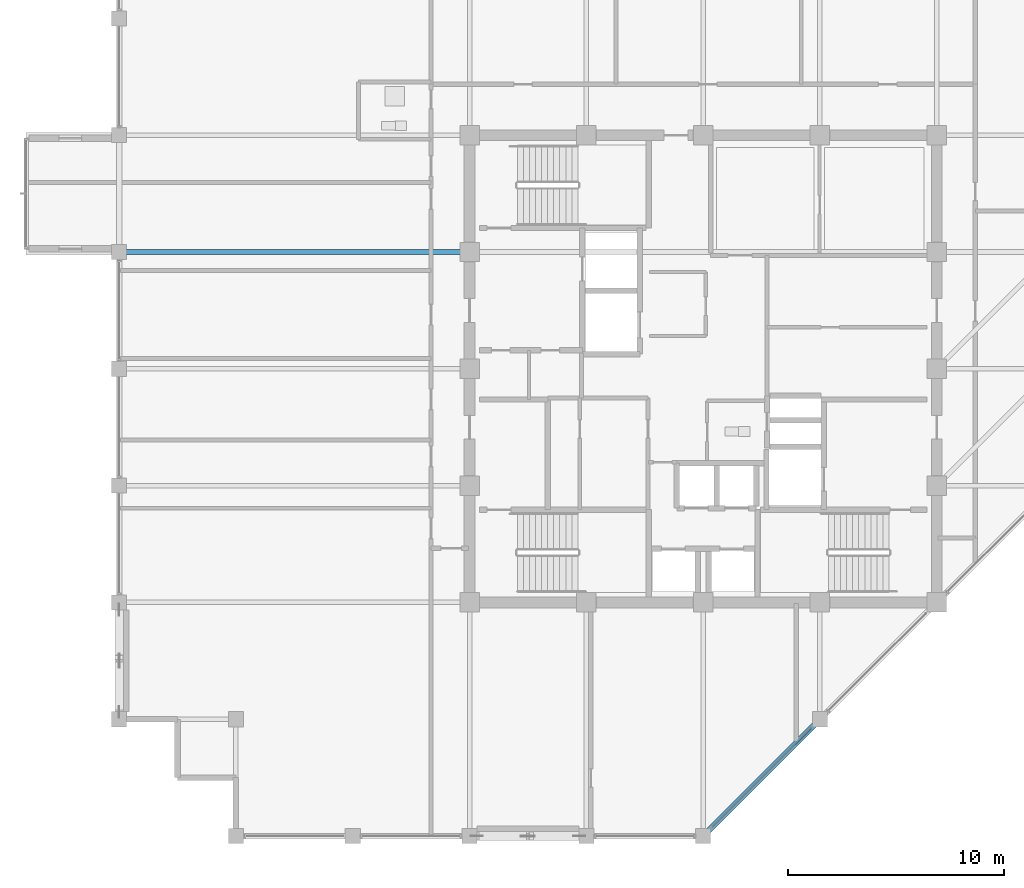
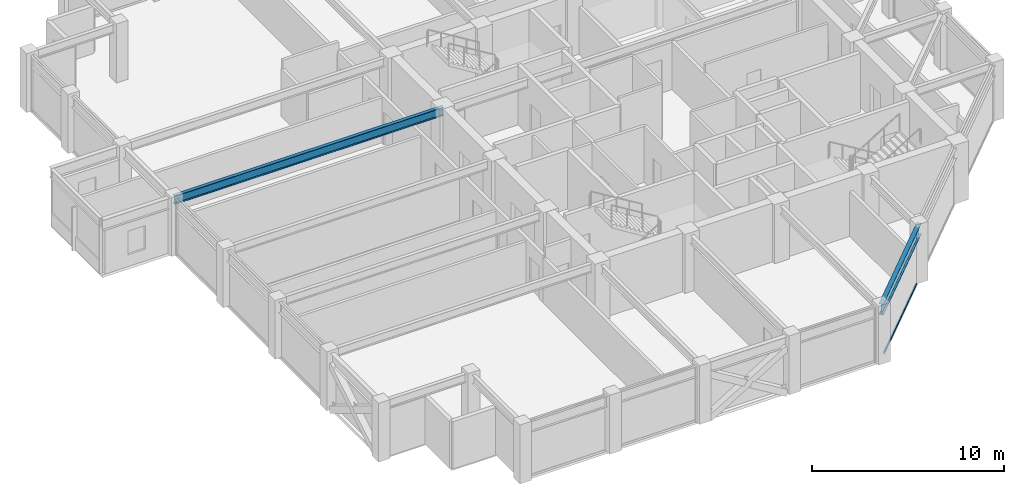
# One storey, part 8 of 31: 2 beams, 1 member, 1 element without a shape of its own.
"""IFC4 building model written with IfcOpenShell, lengths in metres."""

from ifc_helpers import new_model, si_unit, direction, frame, origin, origin_2d, place, context, subcontext, project, spatial, hollow_rectangle, i_section, extrude, material, layer, layer_set, material_profile, profile_set, type_object, element, aggregate, save


model = new_model("IFC4")

# Units and contexts
model_context = context("Model", 3, precision=1e-05, world=origin(), true_north=direction((0.0, 1.0)))
body_context = subcontext(model_context, "Body", "Model", "MODEL_VIEW")
ifc_project = project(units=[si_unit("LENGTHUNIT", "METRE"), si_unit("AREAUNIT", "SQUARE_METRE"), si_unit("VOLUMEUNIT", "CUBIC_METRE"), si_unit("PLANEANGLEUNIT", "RADIAN"), si_unit("MASSUNIT", "GRAM", prefix="KILO")], contexts=[model_context])

# Site, building, storey
site_placement = place(None, origin())
site = spatial("IfcSite", under=ifc_project, at=site_placement, CompositionType="ELEMENT")
building_placement = place(site_placement, origin())
building = spatial("IfcBuilding", under=site, at=building_placement, Name="Surkhivell Harbour Commons", CompositionType="ELEMENT")
storey_placement = place(building_placement, frame((0.0, 0.0, 266.25)))
storey = spatial("IfcBuildingStorey", under=building, at=storey_placement, Name="L69", CompositionType="ELEMENT", Elevation=266.25)

# Beams
ifc_material_1 = material(Name="Steel S355", Category="steel")
ifc_material_profile_1 = material_profile(ifc_material_1, i_section(OverallWidth=0.2099609375, OverallDepth=0.537109375, WebThickness=0.0107421875, FlangeThickness=0.017333984375, at=origin_2d()), Name="UB533x210x101")
ifc_profile_set_1 = profile_set([ifc_material_profile_1], Name="Steel S355")
beam_type_1 = type_object("IfcBeamType", Name="BM-GRD-533B", PredefinedType="BEAM", material=ifc_profile_set_1)
beam_1_placement = place(storey_placement, frame((-27.0, 5.39990234375, 3.301513671875), z_axis=(1.0, 0.0, 0.0), x_axis=(0.0, 1.0, 0.0)))
element("IfcBeam", 1, at=beam_1_placement, inside=storey, type_object=beam_type_1, Name="L69 Cantilever Back-Span Girder (-27.0,5.4)", PredefinedType="BEAM", context=body_context, shape_type="SweptSolid", body=[
    extrude(i_section(OverallWidth=0.2099609375, OverallDepth=0.537109375, WebThickness=0.0107421875, FlangeThickness=0.017333984375, at=origin_2d()), origin(), (0.0, 0.0, 1.0), 16.199951171875),
])
ifc_material_profile_2 = material_profile(ifc_material_1, i_section(OverallWidth=0.256103515625, OverallDepth=0.693115234375, WebThickness=0.014404296875, FlangeThickness=0.023681640625, at=origin_2d()), Name="UB686x254x170")
ifc_profile_set_2 = profile_set([ifc_material_profile_2], Name="Steel S355")
beam_type_2 = type_object("IfcBeamType", Name="BM-SPN-686", PredefinedType="SPANDREL", material=ifc_profile_set_2)
beam_2_placement = place(storey_placement, frame((0.0, -21.60009765625, 3.223388671875), z_axis=(0.707090796496, 0.707122765516, 0.0), x_axis=(-0.707122765516, 0.707090796496, 0.0)))
element("IfcBeam", 2, at=beam_2_placement, inside=storey, type_object=beam_type_2, Name="L69 Tube Spandrel (-0.0,-21.6)", PredefinedType="SPANDREL", context=body_context, shape_type="SweptSolid", body=[
    extrude(i_section(OverallWidth=0.256103515625, OverallDepth=0.693115234375, WebThickness=0.014404296875, FlangeThickness=0.023681640625, at=origin_2d()), origin(), (0.0, 0.0, 1.0), 7.63671875),
])

# Curtain wall, member
ifc_material_2 = material(Name="Anodised pale-metal aluminium and insulated glazing", Category="aluminium")
ifc_layer = layer(ifc_material_2, 0.175048828125)
ifc_layer_set = layer_set([ifc_layer], Name="Anodised pale-metal aluminium and insulated glazing")
curtain_wall_type = type_object("IfcCurtainWallType", Name="CW-SYS-Z4", PredefinedType="NOTDEFINED", material=ifc_layer_set)
curtain_wall_placement = place(storey_placement, origin())
curtain_wall = element("IfcCurtainWall", 3, at=curtain_wall_placement, inside=storey, type_object=curtain_wall_type, Name="L69 Curtain Wall CW-L69-E01", PredefinedType="NOTDEFINED")
ifc_material_3 = material(Name="Champagne anodised aluminium alloy 6063-T6", Category="aluminium")
ifc_material_profile_3 = material_profile(ifc_material_3, hollow_rectangle(XDim=0.070068359375, YDim=0.1298828125, WallThickness=0.00341796875, at=origin_2d()), Name="ALU-TRAN-70x130")
ifc_profile_set_3 = profile_set([ifc_material_profile_3], Name="Champagne anodised aluminium alloy 6063-T6")
member_type = type_object("IfcMemberType", Name="CWT-130", PredefinedType="USERDEFINED", material=ifc_profile_set_3)
member_placement = place(storey_placement, frame((0.404541015625, -21.1953125, 0.06494140625), z_axis=(0.707125583467, 0.707087978406, 0.0), x_axis=(-0.707087978406, 0.707125583467, 0.0)))
member = element("IfcMember", 4, at=member_placement, type_object=member_type, Name="CW-Z4 transom 1.1", ObjectType="TRANSOM", PredefinedType="USERDEFINED", context=body_context, shape_type="SweptSolid", body=[
    extrude(hollow_rectangle(XDim=0.070068359375, YDim=0.1298828125, WallThickness=0.00341796875, at=origin_2d()), origin(), (0.0, 0.0, 1.0), 6.4921875),
])
aggregate(curtain_wall, [member])

save(model, "model.ifc")
